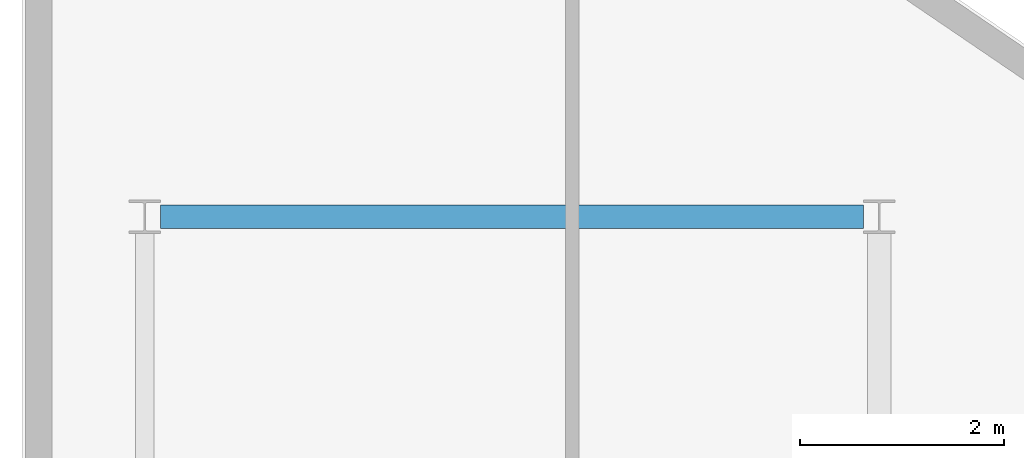
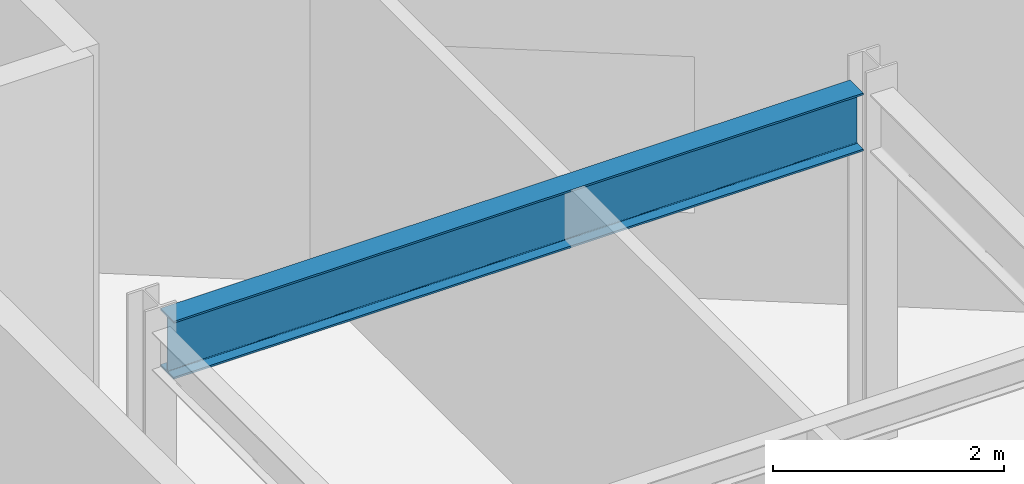
# One storey, part 9 of 22: 1 beam.
"""IFC4 building model written with IfcOpenShell, lengths in metres."""

from ifc_helpers import new_model, si_unit, direction, frame, origin, origin_2d, place, context, subcontext, project, spatial, i_section, extrude, material, material_profile, profile_set, type_object, element, save


model = new_model("IFC4")

# Units and contexts
model_context = context("Model", 3, precision=1e-05, world=origin(), true_north=direction((0.0, 1.0)))
body_context = subcontext(model_context, "Body", "Model", "MODEL_VIEW")
ifc_project = project(units=[si_unit("LENGTHUNIT", "METRE"), si_unit("AREAUNIT", "SQUARE_METRE"), si_unit("VOLUMEUNIT", "CUBIC_METRE"), si_unit("PLANEANGLEUNIT", "RADIAN"), si_unit("MASSUNIT", "GRAM", prefix="KILO")], contexts=[model_context])

# Site, building, storey
site_placement = place(None, origin())
site = spatial("IfcSite", under=ifc_project, at=site_placement, CompositionType="ELEMENT")
building_placement = place(site_placement, origin())
building = spatial("IfcBuilding", under=site, at=building_placement, Name="Varnakote Quay Hospital", CompositionType="ELEMENT")
storey_placement = place(building_placement, frame((0.0, 0.0, 65.949951171875)))
storey = spatial("IfcBuildingStorey", under=building, at=storey_placement, Name="L16", CompositionType="ELEMENT", Elevation=65.949951171875)

# Beam
ifc_material = material(Name="Structural steel AS/NZS 3679.1 Grade 350 L0 (fy 340 MPa)", Category="steel")
ifc_material_profile = material_profile(ifc_material, i_section(OverallWidth=0.22900390625, OverallDepth=0.612060546875, WebThickness=0.011962890625, FlangeThickness=0.01953125, FilletRadius=0.013916015625, at=origin_2d()), Name="610UB125")
ifc_profile_set = profile_set([ifc_material_profile], Name="Structural steel AS/NZS 3679.1 Grade 350 L0 (fy 340 MPa)")
beam_type = type_object("IfcBeamType", Name="BM-STL-610UB125", PredefinedType="BEAM", material=ifc_profile_set)
beam_placement = place(storey_placement, frame((1.35546875, 37.199951171875, 3.404052734375), z_axis=(1.0, 0.0, 0.0), x_axis=(0.0, 1.0, 0.0)))
element("IfcBeam", 1, at=beam_placement, inside=storey, type_object=beam_type, Name="L16 Primary Floor Beam", PredefinedType="BEAM", context=body_context, shape_type="SweptSolid", body=[
    extrude(i_section(OverallWidth=0.22900390625, OverallDepth=0.612060546875, WebThickness=0.011962890625, FlangeThickness=0.01953125, FilletRadius=0.013916015625, at=origin_2d()), origin(), (0.0, 0.0, 1.0), 6.888916015625),
])

save(model, "model.ifc")
